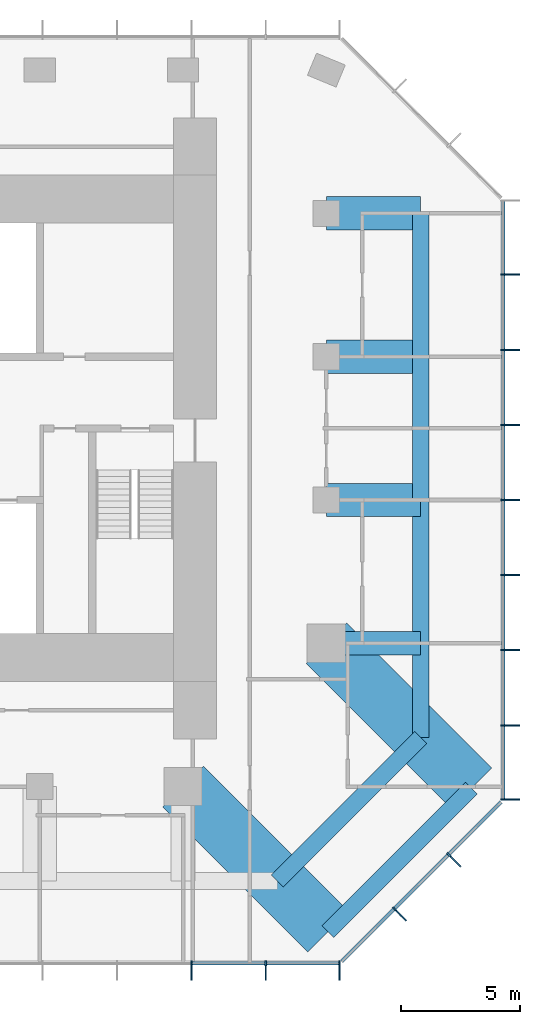
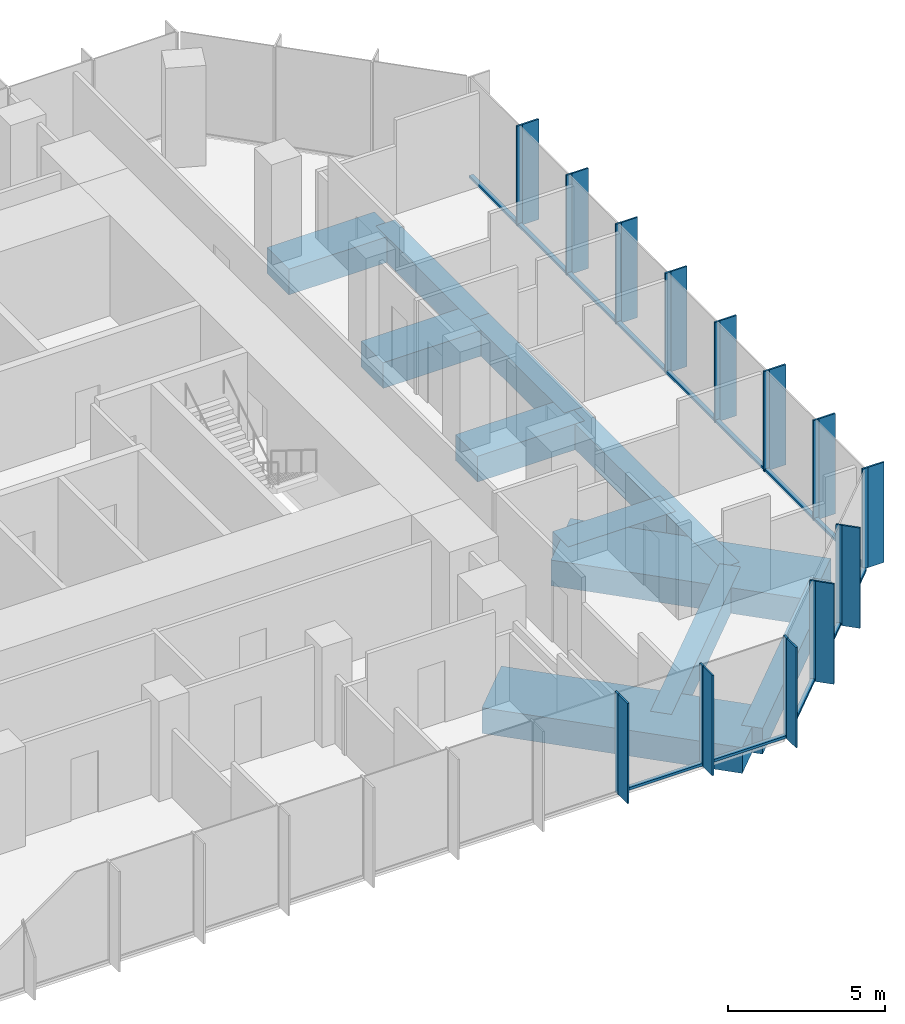
# One storey, part 4 of 11: 39 members, 11 beams, 3 elements without a shape of their own.
"""IFC4 building model written with IfcOpenShell, lengths in metres."""

import ifcopenshell
import ifcopenshell.guid

model = None  # the IFC model being written
_history = None  # IfcOwnerHistory: only IFC2X3 demands one
_inside = {}  # id of a spatial element -> (the spatial element, [elements in it])
_under = {}  # id of a project, library or spatial element -> (it, [spatial elements below it])
_declared = {}  # id of a project -> (the project, [libraries it declares])
_typed = {}  # id of a type object -> (the type object, [elements of that type])
_made_of = {}  # id of a material, layer set ... -> (it, [elements and type objects made of it])


def new_model(schema):
    """Start an empty IFC model of exactly this schema.

    Asked for "IFC4X3", IfcOpenShell would pick the latest addendum, in which some entities
    have other attributes; the version numbers below select the first issue.
    IFC2X3 requires an IfcOwnerHistory on every rooted entity: one is made here for all.
    """
    global model, _history
    if schema == "IFC4X3":
        model = ifcopenshell.file(schema_version=(4, 3, 0, 0))
    else:
        model = ifcopenshell.file(schema=schema)
    _inside.clear()
    _under.clear()
    _declared.clear()
    _typed.clear()
    _made_of.clear()
    _history = None
    if model.schema == "IFC2X3":
        org = make("IfcOrganization", Name="unknown")
        user = make(
            "IfcPersonAndOrganization",
            ThePerson=make("IfcPerson", FamilyName="unknown"),
            TheOrganization=org,
        )
        app = make(
            "IfcApplication",
            ApplicationDeveloper=org,
            Version="unknown",
            ApplicationFullName="unknown",
            ApplicationIdentifier="unknown",
        )
        _history = make(
            "IfcOwnerHistory",
            OwningUser=user,
            OwningApplication=app,
            ChangeAction="ADDED",
            CreationDate=0,
        )
    return model


def make(cls, **values):
    """One entity of the class cls with the attributes given. An attribute that is None is left unset."""
    return model.create_entity(
        cls, **{name: value for name, value in values.items() if value is not None}
    )


def rooted(cls, **values):
    """An entity with a GlobalId (a new one), such as an element, a storey or a relation."""
    return make(cls, GlobalId=ifcopenshell.guid.new(), OwnerHistory=_history, **values)


def si_unit(unit_type, name, prefix=None):
    """IfcSIUnit, for example si_unit("LENGTHUNIT", "METRE", prefix="MILLI")."""
    return make("IfcSIUnit", UnitType=unit_type, Prefix=prefix, Name=name)


def assignment(units):
    """IfcUnitAssignment: the units of a project."""
    return None if units is None else make("IfcUnitAssignment", Units=units)


def point(xyz):
    """IfcCartesianPoint."""
    return None if xyz is None else make("IfcCartesianPoint", Coordinates=xyz)


def direction(xyz):
    """IfcDirection."""
    return None if xyz is None else make("IfcDirection", DirectionRatios=xyz)


def frame(location, z_axis=None, x_axis=None):
    """IfcAxis2Placement3D, a coordinate frame: its origin and axes. An axis left out is left unset."""
    return make(
        "IfcAxis2Placement3D",
        Location=point(location),
        Axis=direction(z_axis),
        RefDirection=direction(x_axis),
    )


def frame_2d(location, x_axis=None):
    """IfcAxis2Placement2D, a coordinate frame in the plane: its origin and x axis."""
    return make(
        "IfcAxis2Placement2D", Location=point(location), RefDirection=direction(x_axis)
    )


def origin():
    """The frame at (0, 0, 0) with its axes left unset."""
    return frame((0.0, 0.0, 0.0))


def origin_2d():
    """The frame at (0, 0) in the plane with its x axis left unset."""
    return frame_2d((0.0, 0.0))


def place(relative_to, where):
    """IfcLocalPlacement: puts the frame where relative to a parent placement (None: the world)."""
    return make(
        "IfcLocalPlacement", PlacementRelTo=relative_to, RelativePlacement=where
    )


def context(
    kind, dimensions, precision=None, world=None, true_north=None, identifier=None
):
    """IfcGeometricRepresentationContext, for example the 3D "Model" context."""
    return make(
        "IfcGeometricRepresentationContext",
        ContextIdentifier=identifier,
        ContextType=kind,
        CoordinateSpaceDimension=dimensions,
        Precision=precision,
        WorldCoordinateSystem=world,
        TrueNorth=true_north,
    )


def subcontext(parent, identifier, kind, view, scale=None):
    """IfcGeometricRepresentationSubContext, for example "Body" below "Model"."""
    return make(
        "IfcGeometricRepresentationSubContext",
        ContextIdentifier=identifier,
        ContextType=kind,
        ParentContext=parent,
        TargetScale=scale,
        TargetView=view,
    )


def project(units=None, contexts=None):
    """IfcProject with its units and contexts."""
    return rooted(
        "IfcProject",
        Name="project",
        RepresentationContexts=contexts,
        UnitsInContext=assignment(units),
    )


def spatial(cls, under=None, at=None, **own):
    """A site, building, storey or space (cls), placed at a placement, below another one or the project."""
    s = rooted(cls, ObjectPlacement=at, **own)
    if under is not None:
        _under.setdefault(under.id(), (under, []))[1].append(s)
    return s


def profile(cls, at=None, kind="AREA", **sizes):
    """A parametric profile (cls). Its sizes go by their IFC names, for example OverallWidth=200.0."""
    return make(cls, ProfileType=kind, Position=at, **sizes)


def rectangle(**sizes):
    """IfcRectangleProfileDef."""
    return profile("IfcRectangleProfileDef", **sizes)


def extrude(swept, where, along, depth):
    """IfcExtrudedAreaSolid: the profile swept, set in the frame where, extruded along a direction by depth."""
    return make(
        "IfcExtrudedAreaSolid",
        SweptArea=swept,
        Position=where,
        ExtrudedDirection=direction(along),
        Depth=depth,
    )


def shape(context_of_items, identifier, shape_type, items):
    """IfcShapeRepresentation: the items that make up one representation, for example the "Body"."""
    return make(
        "IfcShapeRepresentation",
        ContextOfItems=context_of_items,
        RepresentationIdentifier=identifier,
        RepresentationType=shape_type,
        Items=items,
    )


def material(Name=None, Category=None):
    """IfcMaterial."""
    return make("IfcMaterial", Name=Name, Category=Category)


def layer(
    of_material, thickness, ventilated=None, Name=None, Category=None, Priority=None
):
    """IfcMaterialLayer: one layer of a wall or slab, of a material (None: an air gap)."""
    return make(
        "IfcMaterialLayer",
        Material=of_material,
        LayerThickness=thickness,
        IsVentilated=ventilated,
        Name=Name,
        Category=Category,
        Priority=Priority,
    )


def layer_set(layers, Name=None):
    """IfcMaterialLayerSet."""
    return make("IfcMaterialLayerSet", MaterialLayers=layers, LayerSetName=Name)


def material_profile(
    of_material, cross_section, Name=None, Category=None, Priority=None
):
    """IfcMaterialProfile: a cross section and its material."""
    return make(
        "IfcMaterialProfile",
        Name=Name,
        Material=of_material,
        Profile=cross_section,
        Priority=Priority,
        Category=Category,
    )


def profile_set(profiles, Name=None, composite=None):
    """IfcMaterialProfileSet."""
    return make(
        "IfcMaterialProfileSet",
        Name=Name,
        MaterialProfiles=profiles,
        CompositeProfile=composite,
    )


def made_of(thing, what):
    """Note that an element or type object is made of a material, layer set ...; save() writes the relation."""
    if what is not None:
        _made_of.setdefault(what.id(), (what, []))[1].append(thing)
    return thing


def type_object(cls, material=None, **own):
    """A type object (cls), such as IfcWallType, which elements share."""
    return made_of(rooted(cls, **own), material)


def element(
    cls,
    number,
    at=None,
    inside=None,
    cuts=None,
    type_object=None,
    material=None,
    context=None,
    identifier="Body",
    shape_type=None,
    held_by="IfcProductDefinitionShape",
    body=None,
    shapes=None,
    **own,
):
    """One element of the class cls, such as IfcWall. Its Tag is "e" and its number.

    at: its placement. inside: the storey or other place that contains it. cuts: it is an
    opening in that element (IfcRelVoidsElement). A single representation is given by context,
    identifier, shape_type and body (its items); several are given by shapes. held_by: the class
    of the entity that holds the representations. save() writes the other relations.
    """
    e = rooted(cls, Tag="e%d" % number, ObjectPlacement=at, **own)
    if body is not None:
        shapes = [shape(context, identifier, shape_type, body)]
    if shapes is not None:
        e.Representation = make(held_by, Representations=shapes)
    if inside is not None:
        _inside.setdefault(inside.id(), (inside, []))[1].append(e)
    if cuts is not None:
        rooted(
            "IfcRelVoidsElement", RelatingBuildingElement=cuts, RelatedOpeningElement=e
        )
    if type_object is not None:
        _typed.setdefault(type_object.id(), (type_object, []))[1].append(e)
    return made_of(e, material)


def aggregate(whole, parts):
    """IfcRelAggregates: a whole, such as a stair, and the parts it consists of."""
    return rooted("IfcRelAggregates", RelatingObject=whole, RelatedObjects=parts)


def save(model, path):
    """Write the relations noted so far, then the file.

    IfcRelAggregates (storeys below a building ...), IfcRelContainedInSpatialStructure (elements
    in a storey), IfcRelDefinesByType, IfcRelAssociatesMaterial and IfcRelDeclares: one each for
    every whole, place, type object, material and project.
    """
    for whole, parts in _under.values():
        aggregate(whole, parts)
    for where, things in _inside.values():
        rooted(
            "IfcRelContainedInSpatialStructure",
            RelatedElements=things,
            RelatingStructure=where,
        )
    for kind, things in _typed.values():
        rooted("IfcRelDefinesByType", RelatedObjects=things, RelatingType=kind)
    for what, things in _made_of.values():
        rooted("IfcRelAssociatesMaterial", RelatedObjects=things, RelatingMaterial=what)
    for by, libraries in _declared.values():
        rooted("IfcRelDeclares", RelatingContext=by, RelatedDefinitions=libraries)
    model.write(path)


model = new_model("IFC4")

# Units and contexts
model_context = context("Model", 3, precision=1e-05, world=origin(), true_north=direction((0.0, 1.0)))
body_context = subcontext(model_context, "Body", "Model", "MODEL_VIEW")
ifc_project = project(units=[si_unit("LENGTHUNIT", "METRE"), si_unit("AREAUNIT", "SQUARE_METRE"), si_unit("VOLUMEUNIT", "CUBIC_METRE"), si_unit("PLANEANGLEUNIT", "RADIAN"), si_unit("MASSUNIT", "GRAM", prefix="KILO")], contexts=[model_context])

# Site, building, storey
site_placement = place(None, origin())
site = spatial("IfcSite", under=ifc_project, at=site_placement, CompositionType="ELEMENT")
building_placement = place(site_placement, origin())
building = spatial("IfcBuilding", under=site, at=building_placement, Name="Highveld Stack Headquarters", CompositionType="ELEMENT")
storey_placement = place(building_placement, frame((0.0, 0.0, 284.0)))
storey = spatial("IfcBuildingStorey", under=building, at=storey_placement, Name="L70", CompositionType="ELEMENT", Elevation=284.0)

# Beams
ifc_material_1 = material(Name="Concrete C60/75", Category="concrete")
ifc_material_profile_1 = material_profile(ifc_material_1, rectangle(XDim=1.0, YDim=1.0, at=origin_2d()), Name="RC 1000x1000")
ifc_profile_set_1 = profile_set([ifc_material_profile_1], Name="Concrete C60/75")
beam_type_1 = type_object("IfcBeamType", Name="CANTILEVER RIB RC 1000x1000", PredefinedType="USERDEFINED", material=ifc_profile_set_1)
beam_1_placement = place(storey_placement, frame((24.0, -6.0, -0.75), z_axis=(1.0, 0.0, 0.0), x_axis=(0.0, 1.0, 0.0)))
element("IfcBeam", 1, at=beam_1_placement, inside=storey, type_object=beam_type_1, Name="Cantilever rib 10/D L70", ObjectType="CANTILEVER RIB", PredefinedType="USERDEFINED", context=body_context, shape_type="SweptSolid", body=[
    extrude(rectangle(XDim=1.0, YDim=1.0, at=origin_2d()), origin(), (0.0, 0.0, 1.0), 3.949951171875),
])
ifc_material_2 = material(Name="Concrete C60/75", Category="concrete")
ifc_material_profile_2 = material_profile(ifc_material_2, rectangle(XDim=1.39990234375, YDim=1.0, at=origin_2d()), Name="RC 1400x1000")
ifc_profile_set_2 = profile_set([ifc_material_profile_2], Name="Concrete C60/75")
beam_type_2 = type_object("IfcBeamType", Name="CANTILEVER RIB RC 1400x1000", PredefinedType="USERDEFINED", material=ifc_profile_set_2)
for number, where, z_axis, x_axis, name in (
    (2, (24.0, 0.0, -0.75), (1.0, 0.0, 0.0), (0.0, 1.0, 0.0), "Cantilever rib 10/E L70"),
    (3, (24.0, 6.0, -0.75), (1.0, 0.0, 0.0), (0.0, 1.0, 0.0), "Cantilever rib 10/F L70"),
    (4, (24.0, 12.0, -0.75), (1.0, 0.0, 0.0), (0.0, 1.0, 0.0), "Cantilever rib 10/G L70"),
):
    element("IfcBeam", number, at=place(storey_placement, frame(where, z_axis=z_axis, x_axis=x_axis)), inside=storey, type_object=beam_type_2, Name=name, ObjectType="CANTILEVER RIB", PredefinedType="USERDEFINED", context=body_context, shape_type="SweptSolid", body=[
        extrude(rectangle(XDim=1.39990234375, YDim=1.0, at=origin_2d()), origin(), (0.0, 0.0, 1.0), 3.949951171875),
    ])
ifc_material_3 = material(Name="Concrete C60/75", Category="concrete")
ifc_material_profile_3 = material_profile(ifc_material_3, rectangle(XDim=2.39990234375, YDim=1.0, at=origin_2d()), Name="RC 2400x1000")
ifc_profile_set_3 = profile_set([ifc_material_profile_3], Name="Concrete C60/75")
beam_type_3 = type_object("IfcBeamType", Name="CANTILEVER RIB RC 2400x1000", PredefinedType="USERDEFINED", material=ifc_profile_set_3)
for number, where, z_axis, x_axis, name in (
    (5, (18.0, -12.0, -0.75), (0.707106781187, -0.707106781187, 0.0), (0.707106781187, 0.707106781187, 0.0), "Cantilever rib 9/C L70"),
    (6, (24.0, -6.0, -0.75), (0.707106781187, -0.707106781187, 0.0), (0.707106781187, 0.707106781187, 0.0), "Cantilever rib 10/D L70"),
):
    element("IfcBeam", number, at=place(storey_placement, frame(where, z_axis=z_axis, x_axis=x_axis)), inside=storey, type_object=beam_type_3, Name=name, ObjectType="CANTILEVER RIB", PredefinedType="USERDEFINED", context=body_context, shape_type="SweptSolid", body=[
        extrude(rectangle(XDim=2.39990234375, YDim=1.0, at=origin_2d()), origin(), (0.0, 0.0, 1.0), 8.585693359375),
    ])

# Curtain wall, members
ifc_material_4 = material(Name="Aluminium bronze anodised", Category="aluminium")
ifc_layer = layer(ifc_material_4, 0.199951171875)
ifc_layer_set = layer_set([ifc_layer], Name="Aluminium bronze anodised")
curtain_wall_type = type_object("IfcCurtainWallType", Name="CW5 EXECUTIVE UNITISED CURTAIN WALL", PredefinedType="NOTDEFINED", material=ifc_layer_set)
curtain_wall_1_placement = place(storey_placement, origin())
curtain_wall_1 = element("IfcCurtainWall", 7, at=curtain_wall_1_placement, inside=storey, type_object=curtain_wall_type, Name="Curtain wall CW5 L70 S", PredefinedType="NOTDEFINED")
ifc_material_5 = material(Name="Aluminium bronze anodised", Category="aluminium")
ifc_material_profile_4 = material_profile(ifc_material_5, rectangle(XDim=0.60009765625, YDim=0.06005859375, at=origin_2d()), Name="FIN 600x60")
ifc_profile_set_4 = profile_set([ifc_material_profile_4], Name="Aluminium bronze anodised")
member_type_1 = type_object("IfcMemberType", Name="CW5 BRONZE FIN 600x60", PredefinedType="USERDEFINED", material=ifc_profile_set_4)
member_1_placement = place(storey_placement, frame((18.347900390625, -19.800048828125, 0.0), z_axis=(0.0, 0.0, 1.0), x_axis=(0.0, 1.0, 0.0)))
member_1 = element("IfcMember", 8, at=member_1_placement, type_object=member_type_1, Name="CW5 fin L70 9", ObjectType="FIN", PredefinedType="USERDEFINED", context=body_context, shape_type="SweptSolid", body=[
    extrude(rectangle(XDim=0.60009765625, YDim=0.06005859375, at=origin_2d()), origin(), (0.0, 0.0, 1.0), 3.89990234375),
])
member_2_placement = place(storey_placement, frame((21.4638671875, -19.800048828125, 0.0), z_axis=(0.0, 0.0, 1.0), x_axis=(0.0, 1.0, 0.0)))
member_2 = element("IfcMember", 9, at=member_2_placement, type_object=member_type_1, Name="CW5 fin L70 10", ObjectType="FIN", PredefinedType="USERDEFINED", context=body_context, shape_type="SweptSolid", body=[
    extrude(rectangle(XDim=0.60009765625, YDim=0.06005859375, at=origin_2d()), origin(), (0.0, 0.0, 1.0), 3.89990234375),
])
member_3_placement = place(storey_placement, frame((24.54736328125, -19.800048828125, 0.0), z_axis=(0.0, 0.0, 1.0), x_axis=(0.0, 1.0, 0.0)))
member_3 = element("IfcMember", 10, at=member_3_placement, type_object=member_type_1, Name="CW5 fin L70 11", ObjectType="FIN", PredefinedType="USERDEFINED", context=body_context, shape_type="SweptSolid", body=[
    extrude(rectangle(XDim=0.60009765625, YDim=0.06005859375, at=origin_2d()), origin(), (0.0, 0.0, 1.0), 3.89990234375),
])

curtain_wall_2_placement = place(storey_placement, origin())
curtain_wall_2 = element("IfcCurtainWall", 11, at=curtain_wall_2_placement, inside=storey, type_object=curtain_wall_type, Name="Curtain wall CW5 L70 SE", PredefinedType="NOTDEFINED")
member_4_placement = place(storey_placement, frame((27.135986328125, -17.409423828125, 0.0), z_axis=(0.0, 0.0, 1.0), x_axis=(-0.707106781187, 0.707106781187, 0.0)))
member_4 = element("IfcMember", 12, at=member_4_placement, type_object=member_type_1, Name="CW5 fin L70 1", ObjectType="FIN", PredefinedType="USERDEFINED", context=body_context, shape_type="SweptSolid", body=[
    extrude(rectangle(XDim=0.60009765625, YDim=0.06005859375, at=origin_2d()), origin(), (0.0, 0.0, 1.0), 3.89990234375),
])
member_5_placement = place(storey_placement, frame((29.409423828125, -15.135986328125, 0.0), z_axis=(0.0, 0.0, 1.0), x_axis=(-0.707106781187, 0.707106781187, 0.0)))
member_5 = element("IfcMember", 13, at=member_5_placement, type_object=member_type_1, Name="CW5 fin L70 2", ObjectType="FIN", PredefinedType="USERDEFINED", context=body_context, shape_type="SweptSolid", body=[
    extrude(rectangle(XDim=0.60009765625, YDim=0.06005859375, at=origin_2d()), origin(), (0.0, 0.0, 1.0), 3.89990234375),
])

curtain_wall_3_placement = place(storey_placement, origin())
curtain_wall_3 = element("IfcCurtainWall", 14, at=curtain_wall_3_placement, inside=storey, type_object=curtain_wall_type, Name="Curtain wall CW5 L70 E", PredefinedType="NOTDEFINED")
member_6_placement = place(storey_placement, frame((31.800048828125, -12.54736328125, 0.0), z_axis=(0.0, 0.0, 1.0), x_axis=(-1.0, 0.0, 0.0)))
member_6 = element("IfcMember", 15, at=member_6_placement, type_object=member_type_1, Name="CW5 fin L70 1", ObjectType="FIN", PredefinedType="USERDEFINED", context=body_context, shape_type="SweptSolid", body=[
    extrude(rectangle(XDim=0.60009765625, YDim=0.06005859375, at=origin_2d()), origin(), (0.0, 0.0, 1.0), 3.89990234375),
])
member_7_placement = place(storey_placement, frame((31.800048828125, -9.434814453125, 0.0), z_axis=(0.0, 0.0, 1.0), x_axis=(-1.0, 0.0, 0.0)))
member_7 = element("IfcMember", 16, at=member_7_placement, type_object=member_type_1, Name="CW5 fin L70 2", ObjectType="FIN", PredefinedType="USERDEFINED", context=body_context, shape_type="SweptSolid", body=[
    extrude(rectangle(XDim=0.60009765625, YDim=0.06005859375, at=origin_2d()), origin(), (0.0, 0.0, 1.0), 3.89990234375),
])
member_8_placement = place(storey_placement, frame((31.800048828125, -6.2900390625, 0.0), z_axis=(0.0, 0.0, 1.0), x_axis=(-1.0, 0.0, 0.0)))
member_8 = element("IfcMember", 17, at=member_8_placement, type_object=member_type_1, Name="CW5 fin L70 3", ObjectType="FIN", PredefinedType="USERDEFINED", context=body_context, shape_type="SweptSolid", body=[
    extrude(rectangle(XDim=0.60009765625, YDim=0.06005859375, at=origin_2d()), origin(), (0.0, 0.0, 1.0), 3.89990234375),
])
member_9_placement = place(storey_placement, frame((31.800048828125, -3.14501953125, 0.0), z_axis=(0.0, 0.0, 1.0), x_axis=(-1.0, 0.0, 0.0)))
member_9 = element("IfcMember", 18, at=member_9_placement, type_object=member_type_1, Name="CW5 fin L70 4", ObjectType="FIN", PredefinedType="USERDEFINED", context=body_context, shape_type="SweptSolid", body=[
    extrude(rectangle(XDim=0.60009765625, YDim=0.06005859375, at=origin_2d()), origin(), (0.0, 0.0, 1.0), 3.89990234375),
])
member_10_placement = place(storey_placement, frame((31.800048828125, 0.0, 0.0), z_axis=(0.0, 0.0, 1.0), x_axis=(-1.0, 0.0, 0.0)))
member_10 = element("IfcMember", 19, at=member_10_placement, type_object=member_type_1, Name="CW5 fin L70 5", ObjectType="FIN", PredefinedType="USERDEFINED", context=body_context, shape_type="SweptSolid", body=[
    extrude(rectangle(XDim=0.60009765625, YDim=0.06005859375, at=origin_2d()), origin(), (0.0, 0.0, 1.0), 3.89990234375),
])
member_11_placement = place(storey_placement, frame((31.800048828125, 3.14501953125, 0.0), z_axis=(0.0, 0.0, 1.0), x_axis=(-1.0, 0.0, 0.0)))
member_11 = element("IfcMember", 20, at=member_11_placement, type_object=member_type_1, Name="CW5 fin L70 6", ObjectType="FIN", PredefinedType="USERDEFINED", context=body_context, shape_type="SweptSolid", body=[
    extrude(rectangle(XDim=0.60009765625, YDim=0.06005859375, at=origin_2d()), origin(), (0.0, 0.0, 1.0), 3.89990234375),
])
member_12_placement = place(storey_placement, frame((31.800048828125, 6.289794921875, 0.0), z_axis=(0.0, 0.0, 1.0), x_axis=(-1.0, 0.0, 0.0)))
member_12 = element("IfcMember", 21, at=member_12_placement, type_object=member_type_1, Name="CW5 fin L70 7", ObjectType="FIN", PredefinedType="USERDEFINED", context=body_context, shape_type="SweptSolid", body=[
    extrude(rectangle(XDim=0.60009765625, YDim=0.06005859375, at=origin_2d()), origin(), (0.0, 0.0, 1.0), 3.89990234375),
])
member_13_placement = place(storey_placement, frame((31.800048828125, 9.434814453125, 0.0), z_axis=(0.0, 0.0, 1.0), x_axis=(-1.0, 0.0, 0.0)))
member_13 = element("IfcMember", 22, at=member_13_placement, type_object=member_type_1, Name="CW5 fin L70 8", ObjectType="FIN", PredefinedType="USERDEFINED", context=body_context, shape_type="SweptSolid", body=[
    extrude(rectangle(XDim=0.60009765625, YDim=0.06005859375, at=origin_2d()), origin(), (0.0, 0.0, 1.0), 3.89990234375),
])

# Member
ifc_material_6 = material(Name="Aluminium bronze anodised", Category="aluminium")
ifc_material_profile_5 = material_profile(ifc_material_6, rectangle(XDim=0.199951171875, YDim=0.06494140625, at=origin_2d()), Name="CW5 MULLION 65x200")
ifc_profile_set_5 = profile_set([ifc_material_profile_5], Name="Aluminium bronze anodised")
member_type_2 = type_object("IfcMemberType", Name="CW5 MULLION 65x200", PredefinedType="MULLION", material=ifc_profile_set_5)
member_14_placement = place(storey_placement, frame((18.347900390625, -19.39990234375, 0.0), z_axis=(0.0, 0.0, 1.0), x_axis=(0.0, 1.0, 0.0)))
member_14 = element("IfcMember", 23, at=member_14_placement, type_object=member_type_2, Name="CW5 mullion L70 9", PredefinedType="MULLION", context=body_context, shape_type="SweptSolid", body=[
    extrude(rectangle(XDim=0.199951171875, YDim=0.06494140625, at=origin_2d()), origin(), (0.0, 0.0, 1.0), 3.89990234375),
])

member_15_placement = place(storey_placement, frame((21.4638671875, -19.39990234375, 0.0), z_axis=(0.0, 0.0, 1.0), x_axis=(0.0, 1.0, 0.0)))
member_15 = element("IfcMember", 24, at=member_15_placement, type_object=member_type_2, Name="CW5 mullion L70 10", PredefinedType="MULLION", context=body_context, shape_type="SweptSolid", body=[
    extrude(rectangle(XDim=0.199951171875, YDim=0.06494140625, at=origin_2d()), origin(), (0.0, 0.0, 1.0), 3.89990234375),
])

member_16_placement = place(storey_placement, frame((24.54736328125, -19.39990234375, 0.0), z_axis=(0.0, 0.0, 1.0), x_axis=(0.0, 1.0, 0.0)))
member_16 = element("IfcMember", 25, at=member_16_placement, type_object=member_type_2, Name="CW5 mullion L70 11", PredefinedType="MULLION", context=body_context, shape_type="SweptSolid", body=[
    extrude(rectangle(XDim=0.199951171875, YDim=0.06494140625, at=origin_2d()), origin(), (0.0, 0.0, 1.0), 3.89990234375),
])

member_17_placement = place(storey_placement, frame((26.853271484375, -17.126708984375, 0.0), z_axis=(0.0, 0.0, 1.0), x_axis=(-0.707106781187, 0.707106781187, 0.0)))
member_17 = element("IfcMember", 26, at=member_17_placement, type_object=member_type_2, Name="CW5 mullion L70 1", PredefinedType="MULLION", context=body_context, shape_type="SweptSolid", body=[
    extrude(rectangle(XDim=0.199951171875, YDim=0.06494140625, at=origin_2d()), origin(), (0.0, 0.0, 1.0), 3.89990234375),
])

member_18_placement = place(storey_placement, frame((29.126708984375, -14.853271484375, 0.0), z_axis=(0.0, 0.0, 1.0), x_axis=(-0.707106781187, 0.707106781187, 0.0)))
member_18 = element("IfcMember", 27, at=member_18_placement, type_object=member_type_2, Name="CW5 mullion L70 2", PredefinedType="MULLION", context=body_context, shape_type="SweptSolid", body=[
    extrude(rectangle(XDim=0.199951171875, YDim=0.06494140625, at=origin_2d()), origin(), (0.0, 0.0, 1.0), 3.89990234375),
])

member_19_placement = place(storey_placement, frame((31.39990234375, -12.54736328125, 0.0), z_axis=(0.0, 0.0, 1.0), x_axis=(-1.0, 0.0, 0.0)))
member_19 = element("IfcMember", 28, at=member_19_placement, type_object=member_type_2, Name="CW5 mullion L70 1", PredefinedType="MULLION", context=body_context, shape_type="SweptSolid", body=[
    extrude(rectangle(XDim=0.199951171875, YDim=0.06494140625, at=origin_2d()), origin(), (0.0, 0.0, 1.0), 3.89990234375),
])

member_20_placement = place(storey_placement, frame((31.39990234375, -9.434814453125, 0.0), z_axis=(0.0, 0.0, 1.0), x_axis=(-1.0, 0.0, 0.0)))
member_20 = element("IfcMember", 29, at=member_20_placement, type_object=member_type_2, Name="CW5 mullion L70 2", PredefinedType="MULLION", context=body_context, shape_type="SweptSolid", body=[
    extrude(rectangle(XDim=0.199951171875, YDim=0.06494140625, at=origin_2d()), origin(), (0.0, 0.0, 1.0), 3.89990234375),
])

member_21_placement = place(storey_placement, frame((31.39990234375, -6.2900390625, 0.0), z_axis=(0.0, 0.0, 1.0), x_axis=(-1.0, 0.0, 0.0)))
member_21 = element("IfcMember", 30, at=member_21_placement, type_object=member_type_2, Name="CW5 mullion L70 3", PredefinedType="MULLION", context=body_context, shape_type="SweptSolid", body=[
    extrude(rectangle(XDim=0.199951171875, YDim=0.06494140625, at=origin_2d()), origin(), (0.0, 0.0, 1.0), 3.89990234375),
])

member_22_placement = place(storey_placement, frame((31.39990234375, -3.14501953125, 0.0), z_axis=(0.0, 0.0, 1.0), x_axis=(-1.0, 0.0, 0.0)))
member_22 = element("IfcMember", 31, at=member_22_placement, type_object=member_type_2, Name="CW5 mullion L70 4", PredefinedType="MULLION", context=body_context, shape_type="SweptSolid", body=[
    extrude(rectangle(XDim=0.199951171875, YDim=0.06494140625, at=origin_2d()), origin(), (0.0, 0.0, 1.0), 3.89990234375),
])

member_23_placement = place(storey_placement, frame((31.39990234375, 0.0, 0.0), z_axis=(0.0, 0.0, 1.0), x_axis=(-1.0, 0.0, 0.0)))
member_23 = element("IfcMember", 32, at=member_23_placement, type_object=member_type_2, Name="CW5 mullion L70 5", PredefinedType="MULLION", context=body_context, shape_type="SweptSolid", body=[
    extrude(rectangle(XDim=0.199951171875, YDim=0.06494140625, at=origin_2d()), origin(), (0.0, 0.0, 1.0), 3.89990234375),
])

member_24_placement = place(storey_placement, frame((31.39990234375, 3.14501953125, 0.0), z_axis=(0.0, 0.0, 1.0), x_axis=(-1.0, 0.0, 0.0)))
member_24 = element("IfcMember", 33, at=member_24_placement, type_object=member_type_2, Name="CW5 mullion L70 6", PredefinedType="MULLION", context=body_context, shape_type="SweptSolid", body=[
    extrude(rectangle(XDim=0.199951171875, YDim=0.06494140625, at=origin_2d()), origin(), (0.0, 0.0, 1.0), 3.89990234375),
])

member_25_placement = place(storey_placement, frame((31.39990234375, 6.289794921875, 0.0), z_axis=(0.0, 0.0, 1.0), x_axis=(-1.0, 0.0, 0.0)))
member_25 = element("IfcMember", 34, at=member_25_placement, type_object=member_type_2, Name="CW5 mullion L70 7", PredefinedType="MULLION", context=body_context, shape_type="SweptSolid", body=[
    extrude(rectangle(XDim=0.199951171875, YDim=0.06494140625, at=origin_2d()), origin(), (0.0, 0.0, 1.0), 3.89990234375),
])

member_26_placement = place(storey_placement, frame((31.39990234375, 9.434814453125, 0.0), z_axis=(0.0, 0.0, 1.0), x_axis=(-1.0, 0.0, 0.0)))
member_26 = element("IfcMember", 35, at=member_26_placement, type_object=member_type_2, Name="CW5 mullion L70 8", PredefinedType="MULLION", context=body_context, shape_type="SweptSolid", body=[
    extrude(rectangle(XDim=0.199951171875, YDim=0.06494140625, at=origin_2d()), origin(), (0.0, 0.0, 1.0), 3.89990234375),
])

ifc_material_7 = material(Name="Aluminium bronze anodised", Category="aluminium")
ifc_material_profile_6 = material_profile(ifc_material_7, rectangle(XDim=0.14990234375, YDim=0.10009765625, at=origin_2d()), Name="CW5 TRANSOM 150x100")
ifc_profile_set_6 = profile_set([ifc_material_profile_6], Name="Aluminium bronze anodised")
member_type_3 = type_object("IfcMemberType", Name="CW5 STACK TRANSOM 150x100", PredefinedType="USERDEFINED", material=ifc_profile_set_6)
member_27_placement = place(storey_placement, frame((18.38037109375, -19.39990234375, 0.050048828125), z_axis=(1.0, 0.0, 0.0), x_axis=(0.0, 1.0, 0.0)))
member_27 = element("IfcMember", 36, at=member_27_placement, type_object=member_type_3, Name="CW5 transom L70 9.1", ObjectType="TRANSOM", PredefinedType="USERDEFINED", context=body_context, shape_type="SweptSolid", body=[
    extrude(rectangle(XDim=0.14990234375, YDim=0.10009765625, at=origin_2d()), origin(), (0.0, 0.0, 1.0), 3.051025390625),
])

member_28_placement = place(storey_placement, frame((21.496337890625, -19.39990234375, 0.050048828125), z_axis=(1.0, 0.0, 0.0), x_axis=(0.0, 1.0, 0.0)))
member_28 = element("IfcMember", 37, at=member_28_placement, type_object=member_type_3, Name="CW5 transom L70 10.1", ObjectType="TRANSOM", PredefinedType="USERDEFINED", context=body_context, shape_type="SweptSolid", body=[
    extrude(rectangle(XDim=0.14990234375, YDim=0.10009765625, at=origin_2d()), origin(), (0.0, 0.0, 1.0), 3.0185546875),
])

aggregate(curtain_wall_1, [member_14, member_1, member_15, member_2, member_16, member_3, member_27, member_28])

member_29_placement = place(storey_placement, frame((24.650634765625, -19.329345703125, 0.050048828125), z_axis=(0.707106781187, 0.707106781187, 0.0), x_axis=(-0.707106781187, 0.707106781187, 0.0)))
member_29 = element("IfcMember", 38, at=member_29_placement, type_object=member_type_3, Name="CW5 transom L70 1.1", ObjectType="TRANSOM", PredefinedType="USERDEFINED", context=body_context, shape_type="SweptSolid", body=[
    extrude(rectangle(XDim=0.14990234375, YDim=0.10009765625, at=origin_2d()), origin(), (0.0, 0.0, 1.0), 3.08251953125),
])

member_30_placement = place(storey_placement, frame((26.876220703125, -17.103759765625, 0.050048828125), z_axis=(0.707106781187, 0.707106781187, 0.0), x_axis=(-0.707106781187, 0.707106781187, 0.0)))
member_30 = element("IfcMember", 39, at=member_30_placement, type_object=member_type_3, Name="CW5 transom L70 2.1", ObjectType="TRANSOM", PredefinedType="USERDEFINED", context=body_context, shape_type="SweptSolid", body=[
    extrude(rectangle(XDim=0.14990234375, YDim=0.10009765625, at=origin_2d()), origin(), (0.0, 0.0, 1.0), 3.150146484375),
])

member_31_placement = place(storey_placement, frame((29.149658203125, -14.830322265625, 0.050048828125), z_axis=(0.707106781187, 0.707106781187, 0.0), x_axis=(-0.707106781187, 0.707106781187, 0.0)))
member_31 = element("IfcMember", 40, at=member_31_placement, type_object=member_type_3, Name="CW5 transom L70 3.1", ObjectType="TRANSOM", PredefinedType="USERDEFINED", context=body_context, shape_type="SweptSolid", body=[
    extrude(rectangle(XDim=0.14990234375, YDim=0.10009765625, at=origin_2d()), origin(), (0.0, 0.0, 1.0), 3.08251953125),
])

aggregate(curtain_wall_2, [member_17, member_4, member_18, member_5, member_29, member_30, member_31])

member_32_placement = place(storey_placement, frame((31.39990234375, -12.514892578125, 0.050048828125), z_axis=(0.0, 1.0, 0.0), x_axis=(-1.0, 0.0, 0.0)))
member_32 = element("IfcMember", 41, at=member_32_placement, type_object=member_type_3, Name="CW5 transom L70 1.1", ObjectType="TRANSOM", PredefinedType="USERDEFINED", context=body_context, shape_type="SweptSolid", body=[
    extrude(rectangle(XDim=0.14990234375, YDim=0.10009765625, at=origin_2d()), origin(), (0.0, 0.0, 1.0), 3.047607421875),
])

member_33_placement = place(storey_placement, frame((31.39990234375, -9.40234375, 0.050048828125), z_axis=(0.0, 1.0, 0.0), x_axis=(-1.0, 0.0, 0.0)))
member_33 = element("IfcMember", 42, at=member_33_placement, type_object=member_type_3, Name="CW5 transom L70 2.1", ObjectType="TRANSOM", PredefinedType="USERDEFINED", context=body_context, shape_type="SweptSolid", body=[
    extrude(rectangle(XDim=0.14990234375, YDim=0.10009765625, at=origin_2d()), origin(), (0.0, 0.0, 1.0), 3.079833984375),
])

member_34_placement = place(storey_placement, frame((31.39990234375, -6.257568359375, 0.050048828125), z_axis=(0.0, 1.0, 0.0), x_axis=(-1.0, 0.0, 0.0)))
member_34 = element("IfcMember", 43, at=member_34_placement, type_object=member_type_3, Name="CW5 transom L70 3.1", ObjectType="TRANSOM", PredefinedType="USERDEFINED", context=body_context, shape_type="SweptSolid", body=[
    extrude(rectangle(XDim=0.14990234375, YDim=0.10009765625, at=origin_2d()), origin(), (0.0, 0.0, 1.0), 3.080078125),
])

member_35_placement = place(storey_placement, frame((31.39990234375, -3.112548828125, 0.050048828125), z_axis=(0.0, 1.0, 0.0), x_axis=(-1.0, 0.0, 0.0)))
member_35 = element("IfcMember", 44, at=member_35_placement, type_object=member_type_3, Name="CW5 transom L70 4.1", ObjectType="TRANSOM", PredefinedType="USERDEFINED", context=body_context, shape_type="SweptSolid", body=[
    extrude(rectangle(XDim=0.14990234375, YDim=0.10009765625, at=origin_2d()), origin(), (0.0, 0.0, 1.0), 3.080078125),
])

member_36_placement = place(storey_placement, frame((31.39990234375, 0.032470703125, 0.050048828125), z_axis=(0.0, 1.0, 0.0), x_axis=(-1.0, 0.0, 0.0)))
member_36 = element("IfcMember", 45, at=member_36_placement, type_object=member_type_3, Name="CW5 transom L70 5.1", ObjectType="TRANSOM", PredefinedType="USERDEFINED", context=body_context, shape_type="SweptSolid", body=[
    extrude(rectangle(XDim=0.14990234375, YDim=0.10009765625, at=origin_2d()), origin(), (0.0, 0.0, 1.0), 3.080078125),
])

member_37_placement = place(storey_placement, frame((31.39990234375, 3.177490234375, 0.050048828125), z_axis=(0.0, 1.0, 0.0), x_axis=(-1.0, 0.0, 0.0)))
member_37 = element("IfcMember", 46, at=member_37_placement, type_object=member_type_3, Name="CW5 transom L70 6.1", ObjectType="TRANSOM", PredefinedType="USERDEFINED", context=body_context, shape_type="SweptSolid", body=[
    extrude(rectangle(XDim=0.14990234375, YDim=0.10009765625, at=origin_2d()), origin(), (0.0, 0.0, 1.0), 3.080078125),
])

member_38_placement = place(storey_placement, frame((31.39990234375, 6.322509765625, 0.050048828125), z_axis=(0.0, 1.0, 0.0), x_axis=(-1.0, 0.0, 0.0)))
member_38 = element("IfcMember", 47, at=member_38_placement, type_object=member_type_3, Name="CW5 transom L70 7.1", ObjectType="TRANSOM", PredefinedType="USERDEFINED", context=body_context, shape_type="SweptSolid", body=[
    extrude(rectangle(XDim=0.14990234375, YDim=0.10009765625, at=origin_2d()), origin(), (0.0, 0.0, 1.0), 3.079833984375),
])

member_39_placement = place(storey_placement, frame((31.39990234375, 9.46728515625, 0.050048828125), z_axis=(0.0, 1.0, 0.0), x_axis=(-1.0, 0.0, 0.0)))
member_39 = element("IfcMember", 48, at=member_39_placement, type_object=member_type_3, Name="CW5 transom L70 8.1", ObjectType="TRANSOM", PredefinedType="USERDEFINED", context=body_context, shape_type="SweptSolid", body=[
    extrude(rectangle(XDim=0.14990234375, YDim=0.10009765625, at=origin_2d()), origin(), (0.0, 0.0, 1.0), 3.047607421875),
])

aggregate(curtain_wall_3, [member_19, member_6, member_20, member_7, member_21, member_8, member_22, member_9, member_23, member_10, member_24, member_11, member_25, member_12, member_26, member_13, member_32, member_33, member_34, member_35, member_36, member_37, member_38, member_39])

# Beams
ifc_material_8 = material(Name="Concrete C60/75", Category="concrete")
ifc_material_profile_7 = material_profile(ifc_material_8, rectangle(XDim=0.699951171875, YDim=1.0, at=origin_2d()), Name="RC 700x1000")
ifc_profile_set_7 = profile_set([ifc_material_profile_7], Name="Concrete C60/75")
beam_type_4 = type_object("IfcBeamType", Name="RIB TIP BEAM RC 700x1000", PredefinedType="SPANDREL", material=ifc_profile_set_7)
beam_2_placement = place(storey_placement, frame((27.949951171875, -9.949951171875, -0.75), z_axis=(0.0, 1.0, 0.0), x_axis=(-1.0, 0.0, 0.0)))
element("IfcBeam", 49, at=beam_2_placement, inside=storey, type_object=beam_type_4, Name="Rib tip beam 10/D to 10/E L70", PredefinedType="SPANDREL", context=body_context, shape_type="SweptSolid", body=[
    extrude(rectangle(XDim=0.699951171875, YDim=1.0, at=origin_2d()), origin(), (0.0, 0.0, 1.0), 9.949951171875),
])
for number, where, z_axis, x_axis, name in (
    (50, (27.949951171875, 0.0, -0.75), (0.0, 1.0, 0.0), (-1.0, 0.0, 0.0), "Rib tip beam 10/E to 10/F L70"),
    (51, (27.949951171875, 6.0, -0.75), (0.0, 1.0, 0.0), (-1.0, 0.0, 0.0), "Rib tip beam 10/F to 10/G L70"),
):
    element("IfcBeam", number, at=place(storey_placement, frame(where, z_axis=z_axis, x_axis=x_axis)), inside=storey, type_object=beam_type_4, Name=name, PredefinedType="SPANDREL", context=body_context, shape_type="SweptSolid", body=[
        extrude(rectangle(XDim=0.699951171875, YDim=1.0, at=origin_2d()), origin(), (0.0, 0.0, 1.0), 6.0),
    ])
for number, where, z_axis, x_axis, name in (
    (52, (21.949951171875, -15.949951171875, -0.75), (0.707106781187, 0.707106781187, 0.0), (-0.707106781187, 0.707106781187, 0.0), "Rib tip beam 9/C to 10/D chamfer L70"),
    (53, (24.071044921875, -18.071044921875, -0.75), (0.707106781187, 0.707106781187, 0.0), (-0.707106781187, 0.707106781187, 0.0), "Rib tip beam 9/C to 10/D chamfer edge L70"),
):
    element("IfcBeam", number, at=place(storey_placement, frame(where, z_axis=z_axis, x_axis=x_axis)), inside=storey, type_object=beam_type_4, Name=name, PredefinedType="SPANDREL", context=body_context, shape_type="SweptSolid", body=[
        extrude(rectangle(XDim=0.699951171875, YDim=1.0, at=origin_2d()), origin(), (0.0, 0.0, 1.0), 8.4853515625),
    ])

save(model, "model.ifc")
